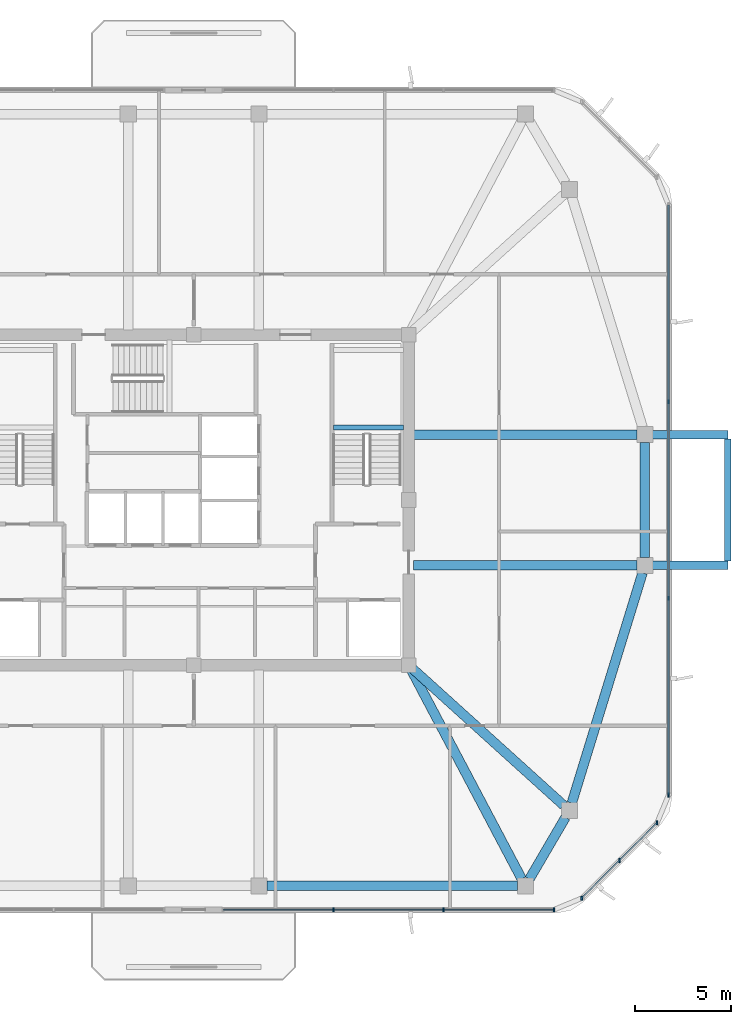
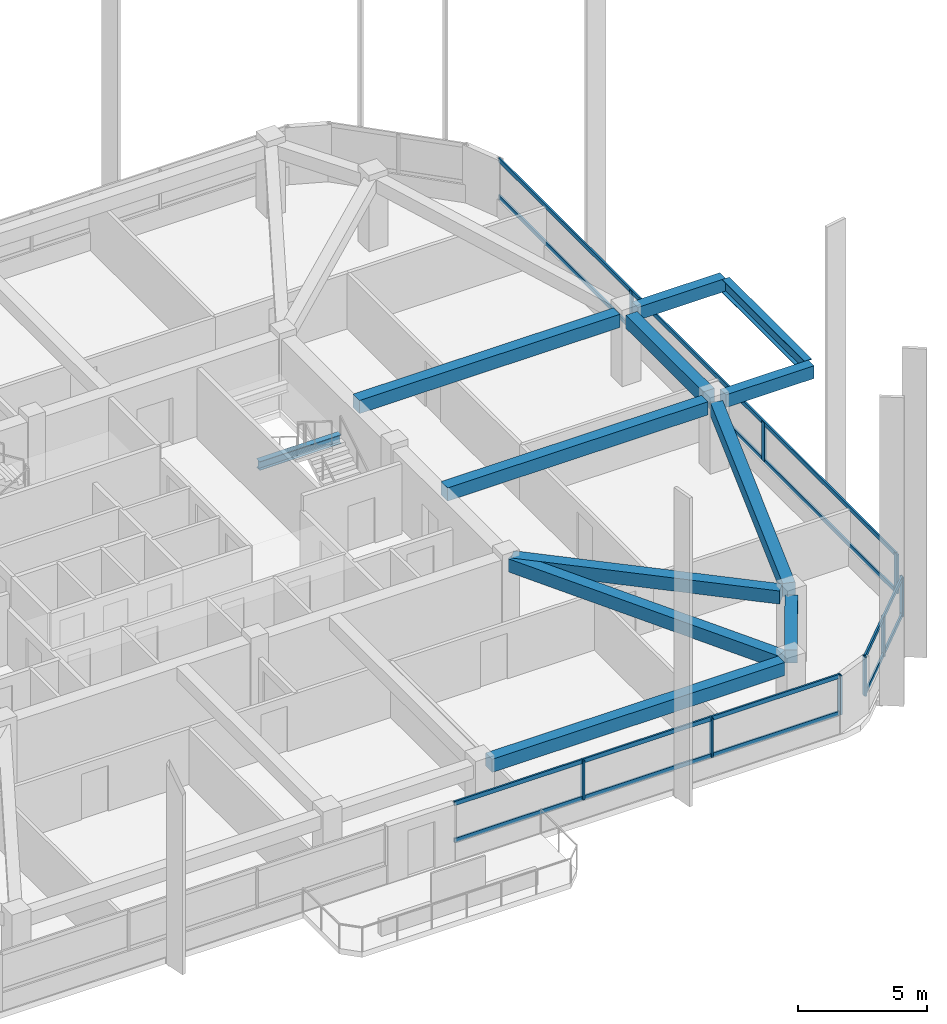
# One storey, part 3 of 12: 15 members, 12 beams, 3 elements without a shape of their own.
"""IFC4 building model written with IfcOpenShell, lengths in metres."""

from ifc_helpers import new_model, si_unit, derived_unit, direction, frame, origin, origin_2d, place, context, subcontext, project, spatial, rectangle, i_section, extrude, material, material_profile, profile_set, type_object, element, aggregate, save


model = new_model("IFC4")

# Units and contexts
model_context = context("Model", 3, precision=1e-05, world=origin(), true_north=direction((0.0, 1.0)))
body_context = subcontext(model_context, "Body", "Model", "MODEL_VIEW")
ifc_project = project(units=[si_unit("LENGTHUNIT", "METRE"), si_unit("AREAUNIT", "SQUARE_METRE"), si_unit("VOLUMEUNIT", "CUBIC_METRE"), si_unit("PLANEANGLEUNIT", "RADIAN"), si_unit("MASSUNIT", "GRAM", prefix="KILO"), derived_unit("THERMALTRANSMITTANCEUNIT", [(si_unit("POWERUNIT", "WATT"), 1), (si_unit("LENGTHUNIT", "METRE"), -2), (si_unit("THERMODYNAMICTEMPERATUREUNIT", "KELVIN"), -1)])], contexts=[model_context])

# Site, building, storey
site_placement = place(None, origin())
site = spatial("IfcSite", under=ifc_project, at=site_placement, CompositionType="ELEMENT")
building_placement = place(site_placement, origin())
building = spatial("IfcBuilding", under=site, at=building_placement, Name="Koralith Skygarden Medical Center", CompositionType="ELEMENT")
storey_placement = place(building_placement, frame((0.0, 0.0, 268.02001953125)))
storey = spatial("IfcBuildingStorey", under=building, at=storey_placement, Name="L69", CompositionType="ELEMENT", Elevation=268.02001953125)

# Curtain wall, members
ifc_material_1 = material(Name="Clear Laminated Glass", Category="glass")
curtain_wall_type = type_object("IfcCurtainWallType", Name="CW-6 Zone 5 Upper Clinical Curtain Wall", PredefinedType="NOTDEFINED", material=ifc_material_1)
curtain_wall_1_placement = place(storey_placement, origin())
curtain_wall_1 = element("IfcCurtainWall", 1, at=curtain_wall_1_placement, inside=storey, type_object=curtain_wall_type, Name="Curtain Wall CW-L69-S-R", PredefinedType="NOTDEFINED")
ifc_material_2 = material(Name="Aluminium 6063-T6", Category="aluminium")
ifc_material_profile_1 = material_profile(ifc_material_2, rectangle(XDim=0.0830078125, YDim=0.219970703125, at=origin_2d()), Name="MUL83X220")
ifc_profile_set_1 = profile_set([ifc_material_profile_1], Name="Aluminium 6063-T6")
member_type_1 = type_object("IfcMemberType", Name="CW-6 Extruded Mullion 83x220", PredefinedType="MULLION", material=ifc_profile_set_1)
member_1_placement = place(storey_placement, frame((44.27392578125, 4.580078125, 0.85009765625), z_axis=(0.0, 0.0, 1.0), x_axis=(1.0, 0.0, 0.0)))
member_1 = element("IfcMember", 2, at=member_1_placement, type_object=member_type_1, Name="CW-L69-S-R Mullion 2", PredefinedType="MULLION", context=body_context, shape_type="SweptSolid", body=[
    extrude(rectangle(XDim=0.0830078125, YDim=0.219970703125, at=origin_2d()), origin(), (0.0, 0.0, 1.0), 1.83984375),
])
member_2_placement = place(storey_placement, frame((50.010009765625, 4.580078125, 0.85009765625), z_axis=(0.0, 0.0, 1.0), x_axis=(1.0, 0.0, 0.0)))
member_2 = element("IfcMember", 3, at=member_2_placement, type_object=member_type_1, Name="CW-L69-S-R Mullion 3", PredefinedType="MULLION", context=body_context, shape_type="SweptSolid", body=[
    extrude(rectangle(XDim=0.0830078125, YDim=0.219970703125, at=origin_2d()), origin(), (0.0, 0.0, 1.0), 1.83984375),
])
member_3_placement = place(storey_placement, frame((55.7451171875, 4.580078125, 0.85009765625), z_axis=(0.0, 0.0, 1.0), x_axis=(1.0, 0.0, 0.0)))
member_3 = element("IfcMember", 4, at=member_3_placement, type_object=member_type_1, Name="CW-L69-S-R Mullion 4", PredefinedType="MULLION", context=body_context, shape_type="SweptSolid", body=[
    extrude(rectangle(XDim=0.0830078125, YDim=0.219970703125, at=origin_2d()), origin(), (0.0, 0.0, 1.0), 1.83984375),
])

curtain_wall_2_placement = place(storey_placement, origin())
curtain_wall_2 = element("IfcCurtainWall", 5, at=curtain_wall_2_placement, inside=storey, type_object=curtain_wall_type, Name="Curtain Wall CW-L69-SE", PredefinedType="NOTDEFINED")
member_4_placement = place(storey_placement, frame((57.196044921875, 5.180908203125, 0.85009765625), z_axis=(0.0, 0.0, 1.0), x_axis=(1.0, 0.0, 0.0)))
member_4 = element("IfcMember", 6, at=member_4_placement, type_object=member_type_1, Name="CW-L69-SE Mullion 1", PredefinedType="MULLION", context=body_context, shape_type="SweptSolid", body=[
    extrude(rectangle(XDim=0.0830078125, YDim=0.219970703125, at=origin_2d()), origin(), (0.0, 0.0, 1.0), 1.83984375),
])
member_5_placement = place(storey_placement, frame((59.156982421875, 7.14306640625, 0.85009765625), z_axis=(0.0, 0.0, 1.0), x_axis=(1.0, 0.0, 0.0)))
member_5 = element("IfcMember", 7, at=member_5_placement, type_object=member_type_1, Name="CW-L69-SE Mullion 2", PredefinedType="MULLION", context=body_context, shape_type="SweptSolid", body=[
    extrude(rectangle(XDim=0.0830078125, YDim=0.219970703125, at=origin_2d()), origin(), (0.0, 0.0, 1.0), 1.83984375),
])
member_6_placement = place(storey_placement, frame((61.118896484375, 9.10400390625, 0.85009765625), z_axis=(0.0, 0.0, 1.0), x_axis=(1.0, 0.0, 0.0)))
member_6 = element("IfcMember", 8, at=member_6_placement, type_object=member_type_1, Name="CW-L69-SE Mullion 3", PredefinedType="MULLION", context=body_context, shape_type="SweptSolid", body=[
    extrude(rectangle(XDim=0.0830078125, YDim=0.219970703125, at=origin_2d()), origin(), (0.0, 0.0, 1.0), 1.83984375),
])

curtain_wall_3_placement = place(storey_placement, origin())
curtain_wall_3 = element("IfcCurtainWall", 9, at=curtain_wall_3_placement, inside=storey, type_object=curtain_wall_type, Name="Curtain Wall CW-L69-E", PredefinedType="NOTDEFINED")
member_7_placement = place(storey_placement, frame((61.719970703125, 10.554931640625, 0.85009765625), z_axis=(0.0, 0.0, 1.0), x_axis=(1.0, 0.0, 0.0)))
member_7 = element("IfcMember", 10, at=member_7_placement, type_object=member_type_1, Name="CW-L69-E Mullion 1", PredefinedType="MULLION", context=body_context, shape_type="SweptSolid", body=[
    extrude(rectangle(XDim=0.0830078125, YDim=0.219970703125, at=origin_2d()), origin(), (0.0, 0.0, 1.0), 1.83984375),
])
member_8_placement = place(storey_placement, frame((61.719970703125, 20.784912109375, 0.85009765625), z_axis=(0.0, 0.0, 1.0), x_axis=(1.0, 0.0, 0.0)))
member_8 = element("IfcMember", 11, at=member_8_placement, type_object=member_type_1, Name="CW-L69-E Mullion 2", PredefinedType="MULLION", context=body_context, shape_type="SweptSolid", body=[
    extrude(rectangle(XDim=0.0830078125, YDim=0.219970703125, at=origin_2d()), origin(), (0.0, 0.0, 1.0), 1.83984375),
])
member_9_placement = place(storey_placement, frame((61.719970703125, 31.014892578125, 0.85009765625), z_axis=(0.0, 0.0, 1.0), x_axis=(1.0, 0.0, 0.0)))
member_9 = element("IfcMember", 12, at=member_9_placement, type_object=member_type_1, Name="CW-L69-E Mullion 3", PredefinedType="MULLION", context=body_context, shape_type="SweptSolid", body=[
    extrude(rectangle(XDim=0.0830078125, YDim=0.219970703125, at=origin_2d()), origin(), (0.0, 0.0, 1.0), 1.83984375),
])

# Member
ifc_material_profile_2 = material_profile(ifc_material_2, rectangle(XDim=0.077880859375, YDim=0.197998046875, at=origin_2d()), Name="TRN78X198")
ifc_profile_set_2 = profile_set([ifc_material_profile_2], Name="Aluminium 6063-T6")
member_type_2 = type_object("IfcMemberType", Name="CW-6 Thermal Transom 78x198", PredefinedType="USERDEFINED", material=ifc_profile_set_2)
member_10_placement = place(storey_placement, frame((38.5390625, 4.580078125, 0.89990234375), z_axis=(1.0, 0.0, 0.0), x_axis=(0.0, 1.0, 0.0)))
member_10 = element("IfcMember", 13, at=member_10_placement, type_object=member_type_2, Name="CW-L69-S-R Transom 1", ObjectType="TRANSOM", PredefinedType="USERDEFINED", context=body_context, shape_type="SweptSolid", body=[
    extrude(rectangle(XDim=0.077880859375, YDim=0.197998046875, at=origin_2d()), origin(), (0.0, 0.0, 1.0), 17.2060546875),
])

member_11_placement = place(storey_placement, frame((38.5390625, 4.580078125, 2.639892578125), z_axis=(1.0, 0.0, 0.0), x_axis=(0.0, 1.0, 0.0)))
member_11 = element("IfcMember", 14, at=member_11_placement, type_object=member_type_2, Name="CW-L69-S-R Transom 2", ObjectType="TRANSOM", PredefinedType="USERDEFINED", context=body_context, shape_type="SweptSolid", body=[
    extrude(rectangle(XDim=0.077880859375, YDim=0.197998046875, at=origin_2d()), origin(), (0.0, 0.0, 1.0), 17.2060546875),
])

aggregate(curtain_wall_1, [member_1, member_2, member_3, member_10, member_11])

member_12_placement = place(storey_placement, frame((57.196044921875, 5.180908203125, 0.89990234375), z_axis=(0.707084777957, 0.707128783731, 0.0), x_axis=(-0.707128783731, 0.707084777957, 0.0)))
member_12 = element("IfcMember", 15, at=member_12_placement, type_object=member_type_2, Name="CW-L69-SE Transom 1", ObjectType="TRANSOM", PredefinedType="USERDEFINED", context=body_context, shape_type="SweptSolid", body=[
    extrude(rectangle(XDim=0.077880859375, YDim=0.197998046875, at=origin_2d()), origin(), (0.0, 0.0, 1.0), 5.5478515625),
])

member_13_placement = place(storey_placement, frame((57.196044921875, 5.180908203125, 2.639892578125), z_axis=(0.707084777957, 0.707128783731, 0.0), x_axis=(-0.707128783731, 0.707084777957, 0.0)))
member_13 = element("IfcMember", 16, at=member_13_placement, type_object=member_type_2, Name="CW-L69-SE Transom 2", ObjectType="TRANSOM", PredefinedType="USERDEFINED", context=body_context, shape_type="SweptSolid", body=[
    extrude(rectangle(XDim=0.077880859375, YDim=0.197998046875, at=origin_2d()), origin(), (0.0, 0.0, 1.0), 5.5478515625),
])

aggregate(curtain_wall_2, [member_4, member_5, member_6, member_12, member_13])

member_14_placement = place(storey_placement, frame((61.719970703125, 10.554931640625, 0.89990234375), z_axis=(0.0, 1.0, 0.0), x_axis=(-1.0, 0.0, 0.0)))
member_14 = element("IfcMember", 17, at=member_14_placement, type_object=member_type_2, Name="CW-L69-E Transom 1", ObjectType="TRANSOM", PredefinedType="USERDEFINED", context=body_context, shape_type="SweptSolid", body=[
    extrude(rectangle(XDim=0.077880859375, YDim=0.197998046875, at=origin_2d()), origin(), (0.0, 0.0, 1.0), 30.690185546875),
])

member_15_placement = place(storey_placement, frame((61.719970703125, 10.554931640625, 2.639892578125), z_axis=(0.0, 1.0, 0.0), x_axis=(-1.0, 0.0, 0.0)))
member_15 = element("IfcMember", 18, at=member_15_placement, type_object=member_type_2, Name="CW-L69-E Transom 2", ObjectType="TRANSOM", PredefinedType="USERDEFINED", context=body_context, shape_type="SweptSolid", body=[
    extrude(rectangle(XDim=0.077880859375, YDim=0.197998046875, at=origin_2d()), origin(), (0.0, 0.0, 1.0), 30.690185546875),
])

aggregate(curtain_wall_3, [member_7, member_8, member_9, member_14, member_15])

# Beams
ifc_material_3 = material(Name="Steel ASTM A992 Grade 50", Category="steel")
ifc_material_profile_3 = material_profile(ifc_material_3, i_section(OverallWidth=0.326904296875, OverallDepth=0.6220703125, WebThickness=0.015380859375, FlangeThickness=0.0244140625, at=origin_2d()), Name="W24X131")
ifc_profile_set_3 = profile_set([ifc_material_profile_3], Name="Steel ASTM A992 Grade 50")
beam_type_1 = type_object("IfcBeamType", Name="Cantilever Tie Beam W24X131", PredefinedType="BEAM", material=ifc_profile_set_3)
beam_1_placement = place(storey_placement, frame((64.800048828125, 22.719970703125, 3.029052734375), z_axis=(0.0, 1.0, 0.0), x_axis=(-1.0, 0.0, 0.0)))
element("IfcBeam", 19, at=beam_1_placement, inside=storey, type_object=beam_type_1, Name="L70 E Balcony Tip Tie Beam", PredefinedType="BEAM", context=body_context, shape_type="SweptSolid", body=[
    extrude(i_section(OverallWidth=0.326904296875, OverallDepth=0.6220703125, WebThickness=0.015380859375, FlangeThickness=0.0244140625, at=origin_2d()), origin(), (0.0, 0.0, 1.0), 6.360107421875),
])
ifc_material_profile_4 = material_profile(ifc_material_3, i_section(OverallWidth=0.260009765625, OverallDepth=0.4150390625, WebThickness=0.010009765625, FlangeThickness=0.016845703125, at=origin_2d()), Name="W16X67")
ifc_profile_set_4 = profile_set([ifc_material_profile_4], Name="Steel ASTM A992 Grade 50")
beam_type_2 = type_object("IfcBeamType", Name="Clinical Floor Joist W16X67", PredefinedType="JOIST", material=ifc_profile_set_4)
beam_2_placement = place(storey_placement, frame((44.280029296875, 29.659912109375, 1.39306640625), z_axis=(1.0, 0.0, 0.0), x_axis=(0.0, 1.0, 0.0)))
element("IfcBeam", 20, at=beam_2_placement, inside=storey, type_object=beam_type_2, Name="L69 Stair ST2 Half-Landing Support Beam 1A", PredefinedType="JOIST", context=body_context, shape_type="SweptSolid", body=[
    extrude(i_section(OverallWidth=0.260009765625, OverallDepth=0.4150390625, WebThickness=0.010009765625, FlangeThickness=0.016845703125, at=origin_2d()), origin(), (0.0, 0.0, 1.0), 3.639892578125),
])
ifc_material_4 = material(Name="Concrete C45/55", Category="concrete")
ifc_material_profile_5 = material_profile(ifc_material_4, rectangle(XDim=0.449951171875, YDim=0.60009765625, at=origin_2d()), Name="RCB450X600")
ifc_profile_set_5 = profile_set([ifc_material_profile_5], Name="Concrete C45/55")
beam_type_3 = type_object("IfcBeamType", Name="Planted Balcony Cantilever Beam RCB450X600", PredefinedType="BEAM", material=ifc_profile_set_5)
for number, where, z_axis, x_axis, name in (
    (21, (60.8798828125, 22.5, 3.0400390625), (1.0, 0.0, 0.0), (0.0, 1.0, 0.0), "L70 E Balcony Cantilever Beam A"),
    (22, (60.8798828125, 29.300048828125, 3.0400390625), (1.0, 0.0, 0.0), (0.0, 1.0, 0.0), "L70 E Balcony Cantilever Beam B"),
):
    element("IfcBeam", number, at=place(storey_placement, frame(where, z_axis=z_axis, x_axis=x_axis)), inside=storey, type_object=beam_type_3, Name=name, PredefinedType="BEAM", context=body_context, shape_type="SweptSolid", body=[
        extrude(rectangle(XDim=0.449951171875, YDim=0.60009765625, at=origin_2d()), origin(), (0.0, 0.0, 1.0), 3.920166015625),
    ])
ifc_material_profile_6 = material_profile(ifc_material_4, rectangle(XDim=0.5, YDim=0.6201171875, at=origin_2d()), Name="RCB500X620")
ifc_profile_set_6 = profile_set([ifc_material_profile_6], Name="Concrete C45/55")
beam_type_4 = type_object("IfcBeamType", Name="Upper Radial Collector Beam RCB500X620", PredefinedType="BEAM", material=ifc_profile_set_6)
beam_3_placement = place(storey_placement, frame((48.31689453125, 17.0791015625, 3.010009765625), z_axis=(0.46724871287, -0.884125918816, 0.0), x_axis=(0.884125918816, 0.46724871287, 0.0)))
element("IfcBeam", 23, at=beam_3_placement, inside=storey, type_object=beam_type_4, Name="L69 Radial Collector Beam RB-06", PredefinedType="BEAM", context=body_context, shape_type="SweptSolid", body=[
    extrude(rectangle(XDim=0.5, YDim=0.6201171875, at=origin_2d()), origin(), (0.0, 0.0, 1.0), 12.325439453125),
])
beam_4_placement = place(storey_placement, frame((48.385009765625, 17.132080078125, 3.010009765625), z_axis=(0.741736323186, -0.670691603397, 0.0), x_axis=(0.670691603397, 0.741736323186, 0.0)))
element("IfcBeam", 24, at=beam_4_placement, inside=storey, type_object=beam_type_4, Name="L69 Radial Collector Beam RB-07", PredefinedType="BEAM", context=body_context, shape_type="SweptSolid", body=[
    extrude(rectangle(XDim=0.5, YDim=0.6201171875, at=origin_2d()), origin(), (0.0, 0.0, 1.0), 10.61181640625),
])
for number, where, z_axis, x_axis, name in (
    (25, (48.449951171875, 22.5, 3.010009765625), (1.0, 0.0, 0.0), (0.0, 1.0, 0.0), "L69 Radial Collector Beam RB-08"),
    (26, (48.449951171875, 29.300048828125, 3.010009765625), (1.0, 0.0, 0.0), (0.0, 1.0, 0.0), "L69 Radial Collector Beam RB-09"),
):
    element("IfcBeam", number, at=place(storey_placement, frame(where, z_axis=z_axis, x_axis=x_axis)), inside=storey, type_object=beam_type_4, Name=name, PredefinedType="BEAM", context=body_context, shape_type="SweptSolid", body=[
        extrude(rectangle(XDim=0.5, YDim=0.6201171875, at=origin_2d()), origin(), (0.0, 0.0, 1.0), 11.6201171875),
    ])
ifc_material_profile_7 = material_profile(ifc_material_4, rectangle(XDim=0.5, YDim=0.6201171875, at=origin_2d()), Name="RCB500X620")
ifc_profile_set_7 = profile_set([ifc_material_profile_7], Name="Concrete C45/55")
beam_type_5 = type_object("IfcBeamType", Name="Zone 4-5 Spandrel Beam RCB500X620", PredefinedType="SPANDREL", material=ifc_profile_set_7)
beam_5_placement = place(storey_placement, frame((40.81005859375, 5.820068359375, 3.010009765625), z_axis=(1.0, 0.0, 0.0), x_axis=(0.0, 1.0, 0.0)))
element("IfcBeam", 27, at=beam_5_placement, inside=storey, type_object=beam_type_5, Name="L69 Perimeter Spandrel Beam SP-05", PredefinedType="SPANDREL", context=body_context, shape_type="SweptSolid", body=[
    extrude(rectangle(XDim=0.5, YDim=0.6201171875, at=origin_2d()), origin(), (0.0, 0.0, 1.0), 13.0478515625),
])
beam_6_placement = place(storey_placement, frame((54.47509765625, 6.174072265625, 3.010009765625), z_axis=(0.50473571007, 0.863273921175, 0.0), x_axis=(-0.863273921175, 0.50473571007, 0.0)))
element("IfcBeam", 28, at=beam_6_placement, inside=storey, type_object=beam_type_5, Name="L69 Perimeter Spandrel Beam SP-06", PredefinedType="SPANDREL", context=body_context, shape_type="SweptSolid", body=[
    extrude(rectangle(XDim=0.5, YDim=0.6201171875, at=origin_2d()), origin(), (0.0, 0.0, 1.0), 3.720703125),
])
beam_7_placement = place(storey_placement, frame((56.679931640625, 10.132080078125, 3.010009765625), z_axis=(0.293743494914, 0.955884281279, 0.0), x_axis=(-0.955884281279, 0.293743494914, 0.0)))
element("IfcBeam", 29, at=beam_7_placement, inside=storey, type_object=beam_type_5, Name="L69 Perimeter Spandrel Beam SP-07", PredefinedType="SPANDREL", context=body_context, shape_type="SweptSolid", body=[
    extrude(rectangle(XDim=0.5, YDim=0.6201171875, at=origin_2d()), origin(), (0.0, 0.0, 1.0), 12.528564453125),
])
beam_8_placement = place(storey_placement, frame((60.47998046875, 22.909912109375, 3.010009765625), z_axis=(0.0, 1.0, 0.0), x_axis=(-1.0, 0.0, 0.0)))
element("IfcBeam", 30, at=beam_8_placement, inside=storey, type_object=beam_type_5, Name="L69 Perimeter Spandrel Beam SP-08", PredefinedType="SPANDREL", context=body_context, shape_type="SweptSolid", body=[
    extrude(rectangle(XDim=0.5, YDim=0.6201171875, at=origin_2d()), origin(), (0.0, 0.0, 1.0), 5.97998046875),
])

save(model, "model.ifc")
